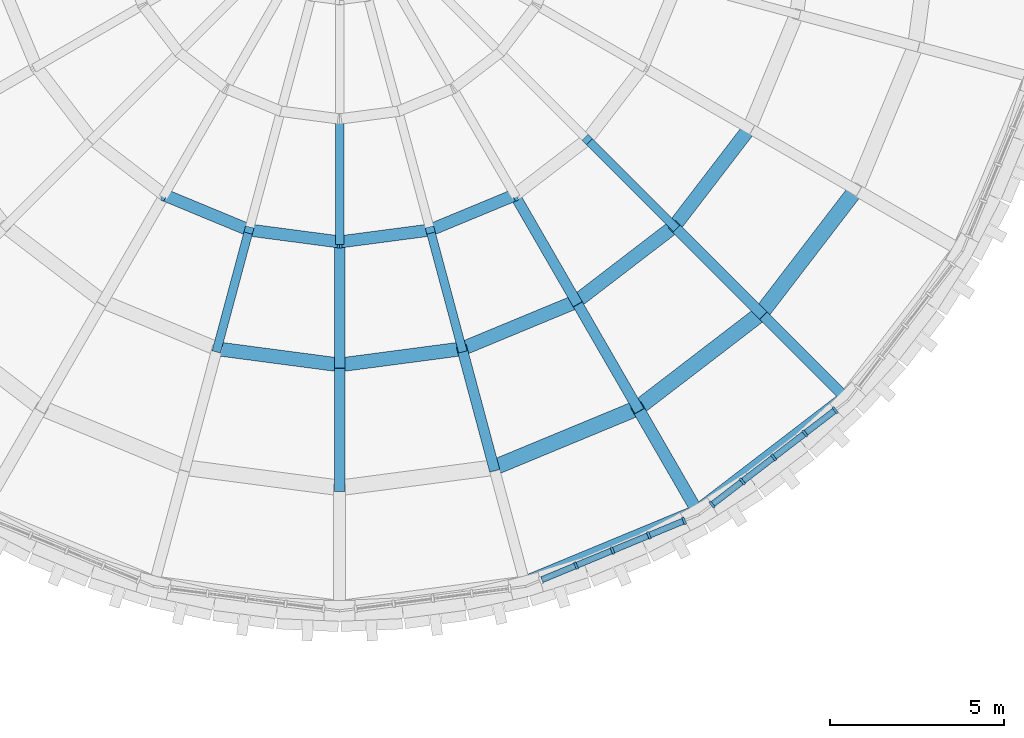
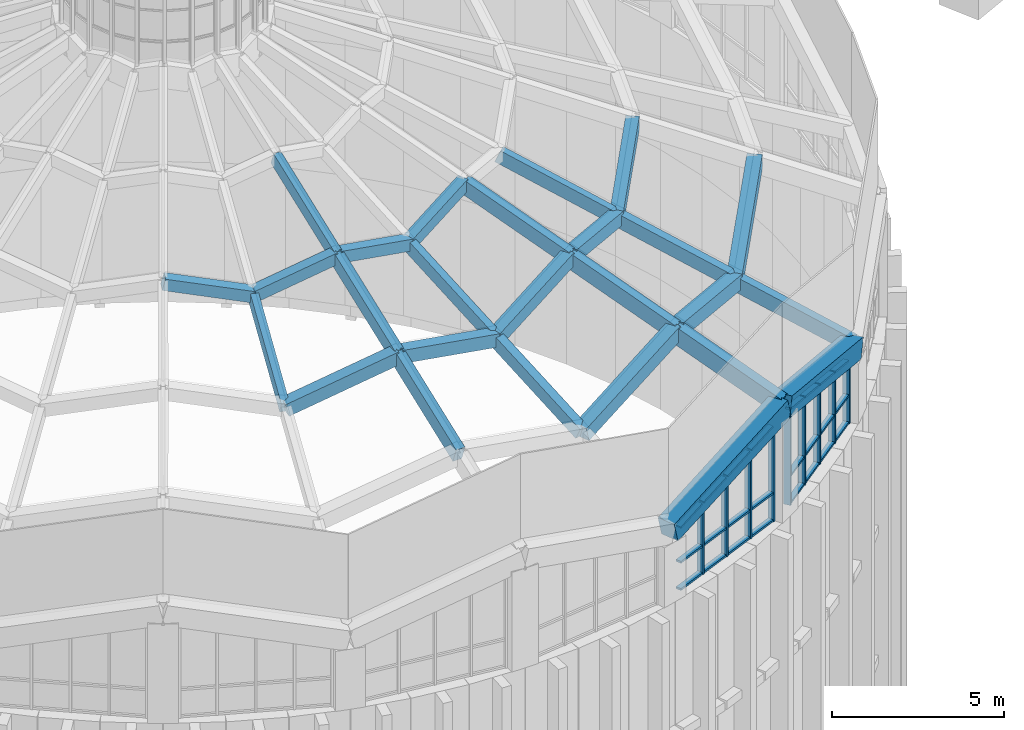
# One storey, part 7 of 82: 33 members, 26 beams, 2 elements without a shape of their own.
"""IFC4 building model written with IfcOpenShell, lengths in metres."""

from ifc_helpers import new_model, si_unit, direction, frame, origin, origin_2d, place, context, subcontext, project, spatial, rectangle, extrude, material, layer, layer_set, material_profile, profile_set, type_object, element, aggregate, save


model = new_model("IFC4")

# Units and contexts
model_context = context("Model", 3, precision=1e-05, world=origin(), true_north=direction((0.0, 1.0)))
body_context = subcontext(model_context, "Body", "Model", "MODEL_VIEW")
ifc_project = project(units=[si_unit("LENGTHUNIT", "METRE"), si_unit("AREAUNIT", "SQUARE_METRE"), si_unit("VOLUMEUNIT", "CUBIC_METRE"), si_unit("PLANEANGLEUNIT", "RADIAN"), si_unit("MASSUNIT", "GRAM", prefix="KILO")], contexts=[model_context])

# Site, building, storey
site_placement = place(None, origin())
site = spatial("IfcSite", under=ifc_project, at=site_placement, CompositionType="ELEMENT")
building_placement = place(site_placement, origin())
building = spatial("IfcBuilding", under=site, at=building_placement, Name="Volute Hill Aquarium", CompositionType="ELEMENT")
storey_placement = place(building_placement, frame((0.0, 0.0, 13.800048828125)))
storey = spatial("IfcBuildingStorey", under=building, at=storey_placement, Name="L04", CompositionType="ELEMENT", Elevation=13.800048828125)

# Curtain wall, members
ifc_material_1 = material(Name="Aluminium", Category="aluminium")
ifc_layer = layer(ifc_material_1, 0.219970703125)
ifc_layer_set = layer_set([ifc_layer], Name="Curtain wall DR clerestory module 1134")
curtain_wall_type = type_object("IfcCurtainWallType", Name="Curtain wall DR clerestory module 1134", PredefinedType="NOTDEFINED", material=ifc_layer_set)
curtain_wall_1_placement = place(storey_placement, origin())
curtain_wall_1 = element("IfcCurtainWall", 1, at=curtain_wall_1_placement, inside=storey, type_object=curtain_wall_type, Name="Curtain wall CW DR clerestory c19", PredefinedType="NOTDEFINED")
ifc_material_2 = material(Name="Aluminium", Category="aluminium")
ifc_material_profile_1 = material_profile(ifc_material_2, rectangle(XDim=0.219970703125, YDim=0.070068359375, at=origin_2d()), Name="Curtain wall mullion clerestory 70x220")
ifc_profile_set_1 = profile_set([ifc_material_profile_1], Name="Aluminium")
member_type_1 = type_object("IfcMemberType", Name="Curtain wall mullion clerestory 70x220", PredefinedType="MULLION", material=ifc_profile_set_1)
member_1_placement = place(storey_placement, frame((6.80615234375, -19.394775390625, 13.699951171875), z_axis=(0.0, 0.0, 1.0), x_axis=(-0.382696102118, 0.923874284426, 0.0)))
member_1 = element("IfcMember", 2, at=member_1_placement, type_object=member_type_1, Name="Mullion DR clerestory 2", PredefinedType="MULLION", context=body_context, shape_type="SweptSolid", body=[
    extrude(rectangle(XDim=0.219970703125, YDim=0.070068359375, at=origin_2d()), origin(), (0.0, 0.0, 1.0), 2.533447265625),
])
member_2_placement = place(storey_placement, frame((7.853759765625, -18.960693359375, 13.699951171875), z_axis=(0.0, 0.0, 1.0), x_axis=(-0.382696102118, 0.923874284426, 0.0)))
member_2 = element("IfcMember", 3, at=member_2_placement, type_object=member_type_1, Name="Mullion DR clerestory 3", PredefinedType="MULLION", context=body_context, shape_type="SweptSolid", body=[
    extrude(rectangle(XDim=0.219970703125, YDim=0.070068359375, at=origin_2d()), origin(), (0.0, 0.0, 1.0), 2.827392578125),
])
member_3_placement = place(storey_placement, frame((8.9013671875, -18.526611328125, 13.699951171875), z_axis=(0.0, 0.0, 1.0), x_axis=(-0.382696102118, 0.923874284426, 0.0)))
member_3 = element("IfcMember", 4, at=member_3_placement, type_object=member_type_1, Name="Mullion DR clerestory 4", PredefinedType="MULLION", context=body_context, shape_type="SweptSolid", body=[
    extrude(rectangle(XDim=0.219970703125, YDim=0.070068359375, at=origin_2d()), origin(), (0.0, 0.0, 1.0), 3.12109375),
])
member_4_placement = place(storey_placement, frame((9.916748046875, -18.106201171875, 13.699951171875), z_axis=(0.0, 0.0, 1.0), x_axis=(-0.382696102118, 0.923874284426, 0.0)))
member_4 = element("IfcMember", 5, at=member_4_placement, type_object=member_type_1, Name="Mullion DR clerestory 5", PredefinedType="MULLION", context=body_context, shape_type="SweptSolid", body=[
    extrude(rectangle(XDim=0.219970703125, YDim=0.070068359375, at=origin_2d()), origin(), (0.0, 0.0, 1.0), 3.40576171875),
])

curtain_wall_2_placement = place(storey_placement, origin())
curtain_wall_2 = element("IfcCurtainWall", 6, at=curtain_wall_2_placement, inside=storey, type_object=curtain_wall_type, Name="Curtain wall CW DR clerestory c20", PredefinedType="NOTDEFINED")
member_5_placement = place(storey_placement, frame((10.721923828125, -17.641357421875, 13.699951171875), z_axis=(0.0, 0.0, 1.0), x_axis=(-0.608760551921, 0.793354013303, 0.0)))
member_5 = element("IfcMember", 7, at=member_5_placement, type_object=member_type_1, Name="Mullion DR clerestory 1", PredefinedType="MULLION", context=body_context, shape_type="SweptSolid", body=[
    extrude(rectangle(XDim=0.219970703125, YDim=0.070068359375, at=origin_2d()), origin(), (0.0, 0.0, 1.0), 3.40576171875),
])
member_6_placement = place(storey_placement, frame((11.593994140625, -16.97216796875, 13.699951171875), z_axis=(0.0, 0.0, 1.0), x_axis=(-0.608760551921, 0.793354013303, 0.0)))
member_6 = element("IfcMember", 8, at=member_6_placement, type_object=member_type_1, Name="Mullion DR clerestory 2", PredefinedType="MULLION", context=body_context, shape_type="SweptSolid", body=[
    extrude(rectangle(XDim=0.219970703125, YDim=0.070068359375, at=origin_2d()), origin(), (0.0, 0.0, 1.0), 3.12109375),
])
member_7_placement = place(storey_placement, frame((12.49365234375, -16.281982421875, 13.699951171875), z_axis=(0.0, 0.0, 1.0), x_axis=(-0.608760551921, 0.793354013303, 0.0)))
member_7 = element("IfcMember", 9, at=member_7_placement, type_object=member_type_1, Name="Mullion DR clerestory 3", PredefinedType="MULLION", context=body_context, shape_type="SweptSolid", body=[
    extrude(rectangle(XDim=0.219970703125, YDim=0.070068359375, at=origin_2d()), origin(), (0.0, 0.0, 1.0), 2.827392578125),
])
member_8_placement = place(storey_placement, frame((13.393310546875, -15.591552734375, 13.699951171875), z_axis=(0.0, 0.0, 1.0), x_axis=(-0.608760551921, 0.793354013303, 0.0)))
member_8 = element("IfcMember", 10, at=member_8_placement, type_object=member_type_1, Name="Mullion DR clerestory 4", PredefinedType="MULLION", context=body_context, shape_type="SweptSolid", body=[
    extrude(rectangle(XDim=0.219970703125, YDim=0.070068359375, at=origin_2d()), origin(), (0.0, 0.0, 1.0), 2.533447265625),
])
member_9_placement = place(storey_placement, frame((14.26513671875, -14.922607421875, 13.699951171875), z_axis=(0.0, 0.0, 1.0), x_axis=(-0.608760551921, 0.793354013303, 0.0)))
member_9 = element("IfcMember", 11, at=member_9_placement, type_object=member_type_1, Name="Mullion DR clerestory 5", PredefinedType="MULLION", context=body_context, shape_type="SweptSolid", body=[
    extrude(rectangle(XDim=0.219970703125, YDim=0.070068359375, at=origin_2d()), origin(), (0.0, 0.0, 1.0), 2.248779296875),
])

# Member
ifc_material_3 = material(Name="Aluminium", Category="aluminium")
ifc_material_profile_2 = material_profile(ifc_material_3, rectangle(XDim=0.179931640625, YDim=0.070068359375, at=origin_2d()), Name="Curtain wall transom clerestory 70x180")
ifc_profile_set_2 = profile_set([ifc_material_profile_2], Name="Aluminium")
member_type_2 = type_object("IfcMemberType", Name="Curtain wall transom clerestory 70x180", PredefinedType="USERDEFINED", material=ifc_profile_set_2)
member_10_placement = place(storey_placement, frame((5.8232421875, -19.8017578125, 13.73486328125), z_axis=(0.923840379293, 0.382777942923, 0.0), x_axis=(-0.382777942923, 0.923840379293, 0.0)))
member_10 = element("IfcMember", 12, at=member_10_placement, type_object=member_type_2, Name="Transom DR clerestory 1.1", ObjectType="TRANSOM", PredefinedType="USERDEFINED", context=body_context, shape_type="SweptSolid", body=[
    extrude(rectangle(XDim=0.179931640625, YDim=0.070068359375, at=origin_2d()), origin(), (0.0, 0.0, 1.0), 1.02880859375),
])

member_11_placement = place(storey_placement, frame((5.8232421875, -19.8017578125, 14.699951171875), z_axis=(0.923840379293, 0.382777942923, 0.0), x_axis=(-0.382777942923, 0.923840379293, 0.0)))
member_11 = element("IfcMember", 13, at=member_11_placement, type_object=member_type_2, Name="Transom DR clerestory 1.2", ObjectType="TRANSOM", PredefinedType="USERDEFINED", context=body_context, shape_type="SweptSolid", body=[
    extrude(rectangle(XDim=0.179931640625, YDim=0.070068359375, at=origin_2d()), origin(), (0.0, 0.0, 1.0), 1.02880859375),
])

member_12_placement = place(storey_placement, frame((5.8232421875, -19.8017578125, 15.9228515625), z_axis=(0.894300432006, 0.370538555568, 0.250854372399), x_axis=(-0.382777942923, 0.923840379293, 0.0)))
member_12 = element("IfcMember", 14, at=member_12_placement, type_object=member_type_2, Name="Head member DR clerestory 1", ObjectType="TRANSOM", PredefinedType="USERDEFINED", context=body_context, shape_type="SweptSolid", body=[
    extrude(rectangle(XDim=0.179931640625, YDim=0.070068359375, at=origin_2d()), origin(), (0.0, 0.0, 1.0), 1.062744140625),
])

member_13_placement = place(storey_placement, frame((6.83837890625, -19.38134765625, 13.73486328125), z_axis=(0.923882616045, 0.382675987972, 0.0), x_axis=(-0.382675987972, 0.923882616045, 0.0)))
member_13 = element("IfcMember", 15, at=member_13_placement, type_object=member_type_2, Name="Transom DR clerestory 2.1", ObjectType="TRANSOM", PredefinedType="USERDEFINED", context=body_context, shape_type="SweptSolid", body=[
    extrude(rectangle(XDim=0.179931640625, YDim=0.070068359375, at=origin_2d()), origin(), (0.0, 0.0, 1.0), 1.064208984375),
])

member_14_placement = place(storey_placement, frame((6.83837890625, -19.38134765625, 14.699951171875), z_axis=(0.923882616045, 0.382675987972, 0.0), x_axis=(-0.382675987972, 0.923882616045, 0.0)))
member_14 = element("IfcMember", 16, at=member_14_placement, type_object=member_type_2, Name="Transom DR clerestory 2.2", ObjectType="TRANSOM", PredefinedType="USERDEFINED", context=body_context, shape_type="SweptSolid", body=[
    extrude(rectangle(XDim=0.179931640625, YDim=0.070068359375, at=origin_2d()), origin(), (0.0, 0.0, 1.0), 1.064208984375),
])

member_15_placement = place(storey_placement, frame((6.83837890625, -19.38134765625, 16.20751953125), z_axis=(0.894368010473, 0.37045091668, 0.250742856674), x_axis=(-0.382675987972, 0.923882616045, 0.0)))
member_15 = element("IfcMember", 17, at=member_15_placement, type_object=member_type_2, Name="Head member DR clerestory 2", ObjectType="TRANSOM", PredefinedType="USERDEFINED", context=body_context, shape_type="SweptSolid", body=[
    extrude(rectangle(XDim=0.179931640625, YDim=0.070068359375, at=origin_2d()), origin(), (0.0, 0.0, 1.0), 1.099365234375),
])

member_16_placement = place(storey_placement, frame((7.88623046875, -18.947265625, 13.73486328125), z_axis=(0.923849008585, 0.38275711533, 0.0), x_axis=(-0.38275711533, 0.923849008585, 0.0)))
member_16 = element("IfcMember", 18, at=member_16_placement, type_object=member_type_2, Name="Transom DR clerestory 3.1", ObjectType="TRANSOM", PredefinedType="USERDEFINED", context=body_context, shape_type="SweptSolid", body=[
    extrude(rectangle(XDim=0.179931640625, YDim=0.070068359375, at=origin_2d()), origin(), (0.0, 0.0, 1.0), 1.06396484375),
])

member_17_placement = place(storey_placement, frame((7.88623046875, -18.947265625, 14.699951171875), z_axis=(0.923849008585, 0.38275711533, 0.0), x_axis=(-0.38275711533, 0.923849008585, 0.0)))
member_17 = element("IfcMember", 19, at=member_17_placement, type_object=member_type_2, Name="Transom DR clerestory 3.2", ObjectType="TRANSOM", PredefinedType="USERDEFINED", context=body_context, shape_type="SweptSolid", body=[
    extrude(rectangle(XDim=0.179931640625, YDim=0.070068359375, at=origin_2d()), origin(), (0.0, 0.0, 1.0), 1.06396484375),
])

member_18_placement = place(storey_placement, frame((7.88623046875, -18.947265625, 16.501220703125), z_axis=(0.894273714183, 0.3705038637, 0.251000818934), x_axis=(-0.38275711533, 0.923849008585, 0.0)))
member_18 = element("IfcMember", 20, at=member_18_placement, type_object=member_type_2, Name="Head member DR clerestory 3", ObjectType="TRANSOM", PredefinedType="USERDEFINED", context=body_context, shape_type="SweptSolid", body=[
    extrude(rectangle(XDim=0.179931640625, YDim=0.070068359375, at=origin_2d()), origin(), (0.0, 0.0, 1.0), 1.09912109375),
])

member_19_placement = place(storey_placement, frame((8.933837890625, -18.513427734375, 13.73486328125), z_axis=(0.923875137994, 0.382694041496, 0.0), x_axis=(-0.382694041496, 0.923875137994, 0.0)))
member_19 = element("IfcMember", 21, at=member_19_placement, type_object=member_type_2, Name="Transom DR clerestory 4.1", ObjectType="TRANSOM", PredefinedType="USERDEFINED", context=body_context, shape_type="SweptSolid", body=[
    extrude(rectangle(XDim=0.179931640625, YDim=0.070068359375, at=origin_2d()), origin(), (0.0, 0.0, 1.0), 1.029052734375),
])

member_20_placement = place(storey_placement, frame((8.933837890625, -18.513427734375, 14.699951171875), z_axis=(0.923875137994, 0.382694041496, 0.0), x_axis=(-0.382694041496, 0.923875137994, 0.0)))
member_20 = element("IfcMember", 22, at=member_20_placement, type_object=member_type_2, Name="Transom DR clerestory 4.2", ObjectType="TRANSOM", PredefinedType="USERDEFINED", context=body_context, shape_type="SweptSolid", body=[
    extrude(rectangle(XDim=0.179931640625, YDim=0.070068359375, at=origin_2d()), origin(), (0.0, 0.0, 1.0), 1.029052734375),
])

member_21_placement = place(storey_placement, frame((8.933837890625, -18.513427734375, 16.795166015625), z_axis=(0.894346413946, 0.370462446249, 0.250802846438), x_axis=(-0.382694041496, 0.923875137994, 0.0)))
member_21 = element("IfcMember", 23, at=member_21_placement, type_object=member_type_2, Name="Head member DR clerestory 4", ObjectType="TRANSOM", PredefinedType="USERDEFINED", context=body_context, shape_type="SweptSolid", body=[
    extrude(rectangle(XDim=0.179931640625, YDim=0.070068359375, at=origin_2d()), origin(), (0.0, 0.0, 1.0), 1.06298828125),
])

aggregate(curtain_wall_1, [member_1, member_2, member_3, member_4, member_10, member_11, member_12, member_13, member_14, member_15, member_16, member_17, member_18, member_19, member_20, member_21])

member_22_placement = place(storey_placement, frame((10.749755859375, -17.619873046875, 13.73486328125), z_axis=(0.793461214918, 0.608620818261, 0.0), x_axis=(-0.608620818261, 0.793461214918, 0.0)))
member_22 = element("IfcMember", 24, at=member_22_placement, type_object=member_type_2, Name="Transom DR clerestory 1.1", ObjectType="TRANSOM", PredefinedType="USERDEFINED", context=body_context, shape_type="SweptSolid", body=[
    extrude(rectangle(XDim=0.179931640625, YDim=0.070068359375, at=origin_2d()), origin(), (0.0, 0.0, 1.0), 1.02880859375),
])

member_23_placement = place(storey_placement, frame((10.749755859375, -17.619873046875, 14.699951171875), z_axis=(0.793461214918, 0.608620818261, 0.0), x_axis=(-0.608620818261, 0.793461214918, 0.0)))
member_23 = element("IfcMember", 25, at=member_23_placement, type_object=member_type_2, Name="Transom DR clerestory 1.2", ObjectType="TRANSOM", PredefinedType="USERDEFINED", context=body_context, shape_type="SweptSolid", body=[
    extrude(rectangle(XDim=0.179931640625, YDim=0.070068359375, at=origin_2d()), origin(), (0.0, 0.0, 1.0), 1.02880859375),
])

member_24_placement = place(storey_placement, frame((10.749755859375, -17.619873046875, 17.061767578125), z_axis=(0.768096072089, 0.58916460075, -0.250825631196), x_axis=(-0.608620818261, 0.793461214918, 0.0)))
member_24 = element("IfcMember", 26, at=member_24_placement, type_object=member_type_2, Name="Head member DR clerestory 1", ObjectType="TRANSOM", PredefinedType="USERDEFINED", context=body_context, shape_type="SweptSolid", body=[
    extrude(rectangle(XDim=0.179931640625, YDim=0.070068359375, at=origin_2d()), origin(), (0.0, 0.0, 1.0), 1.06298828125),
])

member_25_placement = place(storey_placement, frame((11.62158203125, -16.950927734375, 13.73486328125), z_axis=(0.793399515431, 0.608701247669, 0.0), x_axis=(-0.608701247669, 0.793399515431, 0.0)))
member_25 = element("IfcMember", 27, at=member_25_placement, type_object=member_type_2, Name="Transom DR clerestory 2.1", ObjectType="TRANSOM", PredefinedType="USERDEFINED", context=body_context, shape_type="SweptSolid", body=[
    extrude(rectangle(XDim=0.179931640625, YDim=0.070068359375, at=origin_2d()), origin(), (0.0, 0.0, 1.0), 1.06396484375),
])

member_26_placement = place(storey_placement, frame((11.62158203125, -16.950927734375, 14.699951171875), z_axis=(0.793399515431, 0.608701247669, 0.0), x_axis=(-0.608701247669, 0.793399515431, 0.0)))
member_26 = element("IfcMember", 28, at=member_26_placement, type_object=member_type_2, Name="Transom DR clerestory 2.2", ObjectType="TRANSOM", PredefinedType="USERDEFINED", context=body_context, shape_type="SweptSolid", body=[
    extrude(rectangle(XDim=0.179931640625, YDim=0.070068359375, at=origin_2d()), origin(), (0.0, 0.0, 1.0), 1.06396484375),
])

member_27_placement = place(storey_placement, frame((11.62158203125, -16.950927734375, 16.777099609375), z_axis=(0.768007032556, 0.589219970321, -0.250968174317), x_axis=(-0.608701247669, 0.793399515431, 0.0)))
member_27 = element("IfcMember", 29, at=member_27_placement, type_object=member_type_2, Name="Head member DR clerestory 2", ObjectType="TRANSOM", PredefinedType="USERDEFINED", context=body_context, shape_type="SweptSolid", body=[
    extrude(rectangle(XDim=0.179931640625, YDim=0.070068359375, at=origin_2d()), origin(), (0.0, 0.0, 1.0), 1.099365234375),
])

member_28_placement = place(storey_placement, frame((12.521240234375, -16.260498046875, 13.73486328125), z_axis=(0.793399515431, 0.608701247669, 0.0), x_axis=(-0.608701247669, 0.793399515431, 0.0)))
member_28 = element("IfcMember", 30, at=member_28_placement, type_object=member_type_2, Name="Transom DR clerestory 3.1", ObjectType="TRANSOM", PredefinedType="USERDEFINED", context=body_context, shape_type="SweptSolid", body=[
    extrude(rectangle(XDim=0.179931640625, YDim=0.070068359375, at=origin_2d()), origin(), (0.0, 0.0, 1.0), 1.06396484375),
])

member_29_placement = place(storey_placement, frame((12.521240234375, -16.260498046875, 14.699951171875), z_axis=(0.793399515431, 0.608701247669, 0.0), x_axis=(-0.608701247669, 0.793399515431, 0.0)))
member_29 = element("IfcMember", 31, at=member_29_placement, type_object=member_type_2, Name="Transom DR clerestory 3.2", ObjectType="TRANSOM", PredefinedType="USERDEFINED", context=body_context, shape_type="SweptSolid", body=[
    extrude(rectangle(XDim=0.179931640625, YDim=0.070068359375, at=origin_2d()), origin(), (0.0, 0.0, 1.0), 1.06396484375),
])

member_30_placement = place(storey_placement, frame((12.521240234375, -16.260498046875, 16.483154296875), z_axis=(0.768049825103, 0.589252801041, -0.250760049896), x_axis=(-0.608701247669, 0.793399515431, 0.0)))
member_30 = element("IfcMember", 32, at=member_30_placement, type_object=member_type_2, Name="Head member DR clerestory 3", ObjectType="TRANSOM", PredefinedType="USERDEFINED", context=body_context, shape_type="SweptSolid", body=[
    extrude(rectangle(XDim=0.179931640625, YDim=0.070068359375, at=origin_2d()), origin(), (0.0, 0.0, 1.0), 1.09912109375),
])

member_31_placement = place(storey_placement, frame((13.4208984375, -15.5703125, 13.73486328125), z_axis=(0.793346631306, 0.608770172228, 0.0), x_axis=(-0.608770172228, 0.793346631306, 0.0)))
member_31 = element("IfcMember", 33, at=member_31_placement, type_object=member_type_2, Name="Transom DR clerestory 4.1", ObjectType="TRANSOM", PredefinedType="USERDEFINED", context=body_context, shape_type="SweptSolid", body=[
    extrude(rectangle(XDim=0.179931640625, YDim=0.070068359375, at=origin_2d()), origin(), (0.0, 0.0, 1.0), 1.029052734375),
])

member_32_placement = place(storey_placement, frame((13.4208984375, -15.5703125, 14.699951171875), z_axis=(0.793346631306, 0.608770172228, 0.0), x_axis=(-0.608770172228, 0.793346631306, 0.0)))
member_32 = element("IfcMember", 34, at=member_32_placement, type_object=member_type_2, Name="Transom DR clerestory 4.2", ObjectType="TRANSOM", PredefinedType="USERDEFINED", context=body_context, shape_type="SweptSolid", body=[
    extrude(rectangle(XDim=0.179931640625, YDim=0.070068359375, at=origin_2d()), origin(), (0.0, 0.0, 1.0), 1.029052734375),
])

member_33_placement = place(storey_placement, frame((13.4208984375, -15.5703125, 16.189453125), z_axis=(0.767992128442, 0.589314533966, -0.250791687876), x_axis=(-0.608770172228, 0.793346631306, 0.0)))
member_33 = element("IfcMember", 35, at=member_33_placement, type_object=member_type_2, Name="Head member DR clerestory 4", ObjectType="TRANSOM", PredefinedType="USERDEFINED", context=body_context, shape_type="SweptSolid", body=[
    extrude(rectangle(XDim=0.179931640625, YDim=0.070068359375, at=origin_2d()), origin(), (0.0, 0.0, 1.0), 1.06298828125),
])

aggregate(curtain_wall_2, [member_5, member_6, member_7, member_8, member_9, member_22, member_23, member_24, member_25, member_26, member_27, member_28, member_29, member_30, member_31, member_32, member_33])

# Beams
ifc_material_4 = material(Name="Concrete C40/50", Category="concrete")
ifc_material_profile_3 = material_profile(ifc_material_4, rectangle(XDim=0.60009765625, YDim=0.699951171875, at=origin_2d()), Name="RC beam 600x700")
ifc_profile_set_3 = profile_set([ifc_material_profile_3], Name="Concrete C40/50")
beam_type_1 = type_object("IfcBeamType", Name="Dome shell eave ring beam 600x700", PredefinedType="BEAM", material=ifc_profile_set_3)
for number, where, z_axis, x_axis, name in (
    (36, (5.357666015625, -19.99462890625, 16.1162109375), (0.894359389043, 0.370444717355, 0.250782763791), (-0.382673670509, 0.923883575944, 0.0), "rb/DR/L04/eave.19"),
    (37, (10.35009765625, -17.9267578125, 17.51611328125), (0.768005978347, 0.58930025924, -0.250782817759), (-0.608753981167, 0.793359055165, 0.0), "rb/DR/L04/eave.20"),
):
    element("IfcBeam", number, at=place(storey_placement, frame(where, z_axis=z_axis, x_axis=x_axis)), inside=storey, type_object=beam_type_1, Name=name, PredefinedType="BEAM", context=body_context, shape_type="SweptSolid", body=[
        extrude(rectangle(XDim=0.60009765625, YDim=0.699951171875, at=origin_2d()), origin(), (0.0, 0.0, 1.0), 5.58203125),
    ])
ifc_material_5 = material(Name="Concrete C40/50", Category="concrete")
ifc_material_profile_4 = material_profile(ifc_material_5, rectangle(XDim=0.25, YDim=0.449951171875, at=origin_2d()), Name="RC rib 250x450")
ifc_profile_set_4 = profile_set([ifc_material_profile_4], Name="Concrete C40/50")
beam_type_2 = type_object("IfcBeamType", Name="Dome shell ridge rib 250x450", PredefinedType="BEAM", material=ifc_profile_set_4)
beam_1_placement = place(storey_placement, frame((0.0, -10.080078125, 21.663818359375), z_axis=(0.0, 0.935061662861, 0.354485100741), x_axis=(-1.0, 0.0, 0.0)))
element("IfcBeam", 38, at=beam_1_placement, inside=storey, type_object=beam_type_2, Name="rb/DR/L04/ridge3.18", PredefinedType="BEAM", context=body_context, shape_type="SweptSolid", body=[
    extrude(rectangle(XDim=0.25, YDim=0.449951171875, at=origin_2d()), origin(), (0.0, 0.0, 1.0), 3.785888671875),
])
ifc_material_6 = material(Name="Concrete C40/50", Category="concrete")
ifc_material_profile_5 = material_profile(ifc_material_6, rectangle(XDim=0.300048828125, YDim=0.5, at=origin_2d()), Name="RC rib 300x500")
ifc_profile_set_5 = profile_set([ifc_material_profile_5], Name="Concrete C40/50")
beam_type_3 = type_object("IfcBeamType", Name="Dome shell ridge rib 300x500", PredefinedType="BEAM", material=ifc_profile_set_5)
beam_2_placement = place(storey_placement, frame((0.0, -13.6201171875, 20.294677734375), z_axis=(0.0, 0.935040286435, 0.354541482401), x_axis=(-1.0, 0.0, 0.0)))
element("IfcBeam", 39, at=beam_2_placement, inside=storey, type_object=beam_type_3, Name="rb/DR/L04/ridge2.18", PredefinedType="BEAM", context=body_context, shape_type="SweptSolid", body=[
    extrude(rectangle(XDim=0.300048828125, YDim=0.5, at=origin_2d()), origin(), (0.0, 0.0, 1.0), 3.785888671875),
])
beam_3_placement = place(storey_placement, frame((6.81005859375, -11.79541015625, 20.294677734375), z_axis=(-0.467504723153, 0.809782663911, 0.354529788675), x_axis=(-0.866036293601, -0.499981137809, 0.0)))
element("IfcBeam", 40, at=beam_3_placement, inside=storey, type_object=beam_type_3, Name="rb/DR/L04/ridge2.20", PredefinedType="BEAM", context=body_context, shape_type="SweptSolid", body=[
    extrude(rectangle(XDim=0.300048828125, YDim=0.5, at=origin_2d()), origin(), (0.0, 0.0, 1.0), 3.7861328125),
])
ifc_material_7 = material(Name="Concrete C40/50", Category="concrete")
ifc_material_profile_6 = material_profile(ifc_material_7, rectangle(XDim=0.300048828125, YDim=0.550048828125, at=origin_2d()), Name="RC rib 300x550")
ifc_profile_set_6 = profile_set([ifc_material_profile_6], Name="Concrete C40/50")
beam_type_4 = type_object("IfcBeamType", Name="Dome shell ridge rib 300x550", PredefinedType="BEAM", material=ifc_profile_set_6)
beam_4_placement = place(storey_placement, frame((0.0, -17.159912109375, 18.92578125), z_axis=(0.0, 0.935032179892, 0.354562861235), x_axis=(-1.0, 0.0, 0.0)))
element("IfcBeam", 41, at=beam_4_placement, inside=storey, type_object=beam_type_4, Name="rb/DR/L04/ridge1.18", PredefinedType="BEAM", context=body_context, shape_type="SweptSolid", body=[
    extrude(rectangle(XDim=0.300048828125, YDim=0.550048828125, at=origin_2d()), origin(), (0.0, 0.0, 1.0), 3.78564453125),
])
beam_5_placement = place(storey_placement, frame((8.580078125, -14.861083984375, 18.92578125), z_axis=(-0.467529136043, 0.809760463627, 0.354548302064), x_axis=(-0.866019052629, -0.500011000363, 0.0)))
element("IfcBeam", 42, at=beam_5_placement, inside=storey, type_object=beam_type_4, Name="rb/DR/L04/ridge1.20", PredefinedType="BEAM", context=body_context, shape_type="SweptSolid", body=[
    extrude(rectangle(XDim=0.300048828125, YDim=0.550048828125, at=origin_2d()), origin(), (0.0, 0.0, 1.0), 3.785888671875),
])
ifc_material_8 = material(Name="Concrete C40/50", Category="concrete")
ifc_material_profile_7 = material_profile(ifc_material_8, rectangle(XDim=0.35009765625, YDim=0.60009765625, at=origin_2d()), Name="RC rib 350x600")
ifc_profile_set_7 = profile_set([ifc_material_profile_7], Name="Concrete C40/50")
beam_type_5 = type_object("IfcBeamType", Name="Dome shell ridge rib 350x600", PredefinedType="BEAM", material=ifc_profile_set_7)
beam_6_placement = place(storey_placement, frame((10.35009765625, -17.9267578125, 17.556884765625), z_axis=(-0.467539824873, 0.80977897668, 0.354491919631), x_axis=(-0.866019052629, -0.500011000363, 0.0)))
element("IfcBeam", 43, at=beam_6_placement, inside=storey, type_object=beam_type_5, Name="rb/DR/L04/ridge0.20", PredefinedType="BEAM", context=body_context, shape_type="SweptSolid", body=[
    extrude(rectangle(XDim=0.35009765625, YDim=0.60009765625, at=origin_2d()), origin(), (0.0, 0.0, 1.0), 3.785888671875),
])
ifc_material_9 = material(Name="Concrete C40/50", Category="concrete")
ifc_material_profile_8 = material_profile(ifc_material_9, rectangle(XDim=0.35009765625, YDim=0.39990234375, at=origin_2d()), Name="RC beam 350x400")
ifc_profile_set_8 = profile_set([ifc_material_profile_8], Name="Concrete C40/50")
beam_type_6 = type_object("IfcBeamType", Name="Dome shell ring beam 350x400", PredefinedType="BEAM", material=ifc_profile_set_8)
for number, where, z_axis, x_axis, name in (
    (44, (-5.0400390625, -8.7294921875, 21.69775390625), (0.894353424726, -0.370476790218, -0.250756654131), (0.382704128228, 0.923870959733, 0.0), "rb/DR/L04/ring3.16"),
    (45, (-2.60888671875, -9.736572265625, 21.01611328125), (0.959764618825, -0.126369906297, 0.250763879446), (0.130540912694, 0.991442923275, 0.0), "rb/DR/L04/ring3.17"),
    (46, (0.0, -10.080078125, 21.69775390625), (0.959764618825, 0.126369906297, -0.250763879446), (-0.130540912694, 0.991442923275, 0.0), "rb/DR/L04/ring3.18"),
    (47, (2.60888671875, -9.736572265625, 21.01611328125), (0.894353424726, 0.370476790218, 0.250756654131), (-0.382704128228, 0.923870959733, 0.0), "rb/DR/L04/ring3.19"),
):
    element("IfcBeam", number, at=place(storey_placement, frame(where, z_axis=z_axis, x_axis=x_axis)), inside=storey, type_object=beam_type_6, Name=name, PredefinedType="BEAM", context=body_context, shape_type="SweptSolid", body=[
        extrude(rectangle(XDim=0.35009765625, YDim=0.39990234375, at=origin_2d()), origin(), (0.0, 0.0, 1.0), 2.71826171875),
    ])
ifc_material_10 = material(Name="Concrete C40/50", Category="concrete")
ifc_material_profile_9 = material_profile(ifc_material_10, rectangle(XDim=0.39990234375, YDim=0.449951171875, at=origin_2d()), Name="RC beam 400x450")
ifc_profile_set_9 = profile_set([ifc_material_profile_9], Name="Concrete C40/50")
beam_type_7 = type_object("IfcBeamType", Name="Dome shell ring beam 400x450", PredefinedType="BEAM", material=ifc_profile_set_9)
for number, where, z_axis, x_axis, name in (
    (48, (-3.525146484375, -13.156005859375, 19.408447265625), (0.959758944171, -0.126359287545, 0.250790947874), (0.13053088898, 0.991444243022, 0.0), "rb/DR/L04/ring2.17"),
    (49, (0.0, -13.6201171875, 20.32958984375), (0.959758944171, 0.126359287545, -0.250790947874), (-0.13053088898, 0.991444243022, 0.0), "rb/DR/L04/ring2.18"),
    (50, (3.525146484375, -13.156005859375, 19.408447265625), (0.89435881781, 0.370439367644, 0.250792703054), (-0.382669162072, 0.923885443331, 0.0), "rb/DR/L04/ring2.19"),
    (51, (6.81005859375, -11.79541015625, 20.32958984375), (0.767989284107, 0.589319109649, -0.250789645918), (-0.608774566293, 0.793343259525, 0.0), "rb/DR/L04/ring2.20"),
    (52, (9.630859375, -9.630859375, 19.408447265625), (0.589319109649, 0.767989284107, 0.250789645918), (-0.793343259525, 0.608774566293, 0.0), "rb/DR/L04/ring2.21"),
):
    element("IfcBeam", number, at=place(storey_placement, frame(where, z_axis=z_axis, x_axis=x_axis)), inside=storey, type_object=beam_type_7, Name=name, PredefinedType="BEAM", context=body_context, shape_type="SweptSolid", body=[
        extrude(rectangle(XDim=0.39990234375, YDim=0.449951171875, at=origin_2d()), origin(), (0.0, 0.0, 1.0), 3.6728515625),
    ])
ifc_material_11 = material(Name="Concrete C40/50", Category="concrete")
ifc_material_profile_10 = material_profile(ifc_material_11, rectangle(XDim=0.449951171875, YDim=0.5, at=origin_2d()), Name="RC beam 450x500")
ifc_profile_set_10 = profile_set([ifc_material_profile_10], Name="Concrete C40/50")
beam_type_8 = type_object("IfcBeamType", Name="Dome shell ring beam 450x500", PredefinedType="BEAM", material=ifc_profile_set_10)
beam_7_placement = place(storey_placement, frame((4.44140625, -16.5751953125, 17.801025390625), z_axis=(0.894361984725, 0.37041738407, 0.250813878916), x_axis=(-0.382648621371, 0.923893950929, 0.0)))
element("IfcBeam", 53, at=beam_7_placement, inside=storey, type_object=beam_type_8, Name="rb/DR/L04/ring1.19", PredefinedType="BEAM", context=body_context, shape_type="SweptSolid", body=[
    extrude(rectangle(XDim=0.449951171875, YDim=0.5, at=origin_2d()), origin(), (0.0, 0.0, 1.0), 4.62744140625),
])
for number, where, z_axis, x_axis, name in (
    (54, (8.580078125, -14.861083984375, 18.961669921875), (0.767994272249, 0.589303841521, -0.250810247322), (-0.608762150599, 0.793352786595, 0.0), "rb/DR/L04/ring1.20"),
    (55, (12.134033203125, -12.134033203125, 17.801025390625), (0.589303841521, 0.767994272249, 0.250810247322), (-0.793352786595, 0.608762150599, 0.0), "rb/DR/L04/ring1.21"),
):
    element("IfcBeam", number, at=place(storey_placement, frame(where, z_axis=z_axis, x_axis=x_axis)), inside=storey, type_object=beam_type_8, Name=name, PredefinedType="BEAM", context=body_context, shape_type="SweptSolid", body=[
        extrude(rectangle(XDim=0.449951171875, YDim=0.5, at=origin_2d()), origin(), (0.0, 0.0, 1.0), 4.627685546875),
    ])
ifc_material_12 = material(Name="Concrete C40/50", Category="concrete")
ifc_material_profile_11 = material_profile(ifc_material_12, rectangle(XDim=0.25, YDim=0.449951171875, at=origin_2d()), Name="RC rib 250x450")
ifc_profile_set_11 = profile_set([ifc_material_profile_11], Name="Concrete C40/50")
beam_type_9 = type_object("IfcBeamType", Name="Dome shell valley rib 250x450", PredefinedType="BEAM", material=ifc_profile_set_11)
for number, where, z_axis, x_axis, name in (
    (56, (-3.525146484375, -13.156005859375, 19.39453125), (0.236308735393, 0.881891859291, 0.407952117403), (-0.965924039886, 0.258825711959, 0.0), "rb/DR/L04/valley2.17"),
    (57, (3.525146484375, -13.156005859375, 19.39453125), (-0.236308735393, 0.881891859291, 0.407952117403), (-0.965924039886, -0.258825711959, 0.0), "rb/DR/L04/valley2.19"),
    (58, (9.630859375, -9.630859375, 19.39453125), (-0.645589557289, 0.645589557289, 0.407956182744), (-0.707106781187, -0.707106781187, 0.0), "rb/DR/L04/valley2.21"),
):
    element("IfcBeam", number, at=place(storey_placement, frame(where, z_axis=z_axis, x_axis=x_axis)), inside=storey, type_object=beam_type_9, Name=name, PredefinedType="BEAM", context=body_context, shape_type="SweptSolid", body=[
        extrude(rectangle(XDim=0.25, YDim=0.449951171875, at=origin_2d()), origin(), (0.0, 0.0, 1.0), 3.87744140625),
    ])
ifc_material_13 = material(Name="Concrete C40/50", Category="concrete")
ifc_material_profile_12 = material_profile(ifc_material_13, rectangle(XDim=0.300048828125, YDim=0.449951171875, at=origin_2d()), Name="RC rib 300x450")
ifc_profile_set_12 = profile_set([ifc_material_profile_12], Name="Concrete C40/50")
beam_type_10 = type_object("IfcBeamType", Name="Dome shell valley rib 300x450", PredefinedType="BEAM", material=ifc_profile_set_12)
beam_8_placement = place(storey_placement, frame((4.44140625, -16.5751953125, 17.812744140625), z_axis=(-0.236321857906, 0.881877863035, 0.407974771482), x_axis=(-0.965919419406, -0.258842954733, 0.0)))
element("IfcBeam", 59, at=beam_8_placement, inside=storey, type_object=beam_type_10, Name="rb/DR/L04/valley1.19", PredefinedType="BEAM", context=body_context, shape_type="SweptSolid", body=[
    extrude(rectangle(XDim=0.300048828125, YDim=0.449951171875, at=origin_2d()), origin(), (0.0, 0.0, 1.0), 3.877197265625),
])
beam_9_placement = place(storey_placement, frame((12.134033203125, -12.134033203125, 17.812744140625), z_axis=(-0.645589557289, 0.645589557289, 0.407956182744), x_axis=(-0.707106781187, -0.707106781187, 0.0)))
element("IfcBeam", 60, at=beam_9_placement, inside=storey, type_object=beam_type_10, Name="rb/DR/L04/valley1.21", PredefinedType="BEAM", context=body_context, shape_type="SweptSolid", body=[
    extrude(rectangle(XDim=0.300048828125, YDim=0.449951171875, at=origin_2d()), origin(), (0.0, 0.0, 1.0), 3.87744140625),
])
ifc_material_14 = material(Name="Concrete C40/50", Category="concrete")
ifc_material_profile_13 = material_profile(ifc_material_14, rectangle(XDim=0.300048828125, YDim=0.5, at=origin_2d()), Name="RC rib 300x500")
ifc_profile_set_13 = profile_set([ifc_material_profile_13], Name="Concrete C40/50")
beam_type_11 = type_object("IfcBeamType", Name="Dome shell valley rib 300x500", PredefinedType="BEAM", material=ifc_profile_set_13)
beam_10_placement = place(storey_placement, frame((14.63720703125, -14.63720703125, 16.203857421875), z_axis=(-0.645606140124, 0.645606140124, 0.407903694111), x_axis=(-0.707106781187, -0.707106781187, 0.0)))
element("IfcBeam", 61, at=beam_10_placement, inside=storey, type_object=beam_type_11, Name="rb/DR/L04/valley0.21", PredefinedType="BEAM", context=body_context, shape_type="SweptSolid", body=[
    extrude(rectangle(XDim=0.300048828125, YDim=0.5, at=origin_2d()), origin(), (0.0, 0.0, 1.0), 3.877197265625),
])

save(model, "model.ifc")
